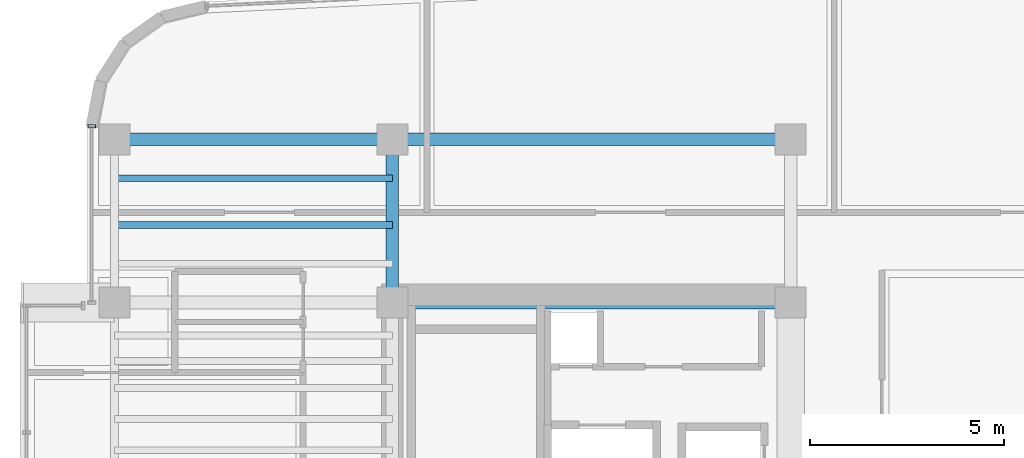
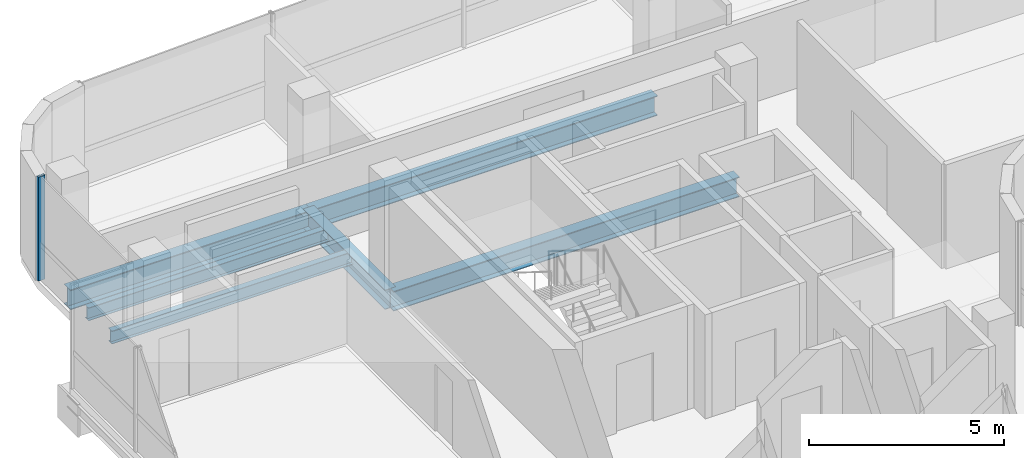
# One storey, part 7 of 18: 6 beams, 1 member, 1 element without a shape of its own.
"""IFC4 building model written with IfcOpenShell, lengths in metres."""

from ifc_helpers import new_model, si_unit, direction, frame, origin, origin_2d, place, context, subcontext, project, spatial, hollow_rectangle, i_section, extrude, source, transform, mapped, material, material_profile, profile_set, type_object, element, aggregate, save


model = new_model("IFC4")

# Units and contexts
model_context = context("Model", 3, precision=1e-05, world=origin(), true_north=direction((0.0, 1.0)))
body_context = subcontext(model_context, "Body", "Model", "MODEL_VIEW")
ifc_project = project(units=[si_unit("LENGTHUNIT", "METRE"), si_unit("AREAUNIT", "SQUARE_METRE"), si_unit("VOLUMEUNIT", "CUBIC_METRE"), si_unit("PLANEANGLEUNIT", "RADIAN"), si_unit("MASSUNIT", "GRAM", prefix="KILO")], contexts=[model_context])

# Site, building, storey
site_placement = place(None, origin())
site = spatial("IfcSite", under=ifc_project, at=site_placement, CompositionType="ELEMENT")
building_placement = place(site_placement, origin())
building = spatial("IfcBuilding", under=site, at=building_placement, Name="Valdorenza Pilgrim Sanctuary Tower", CompositionType="ELEMENT")
storey_placement = place(building_placement, frame((0.0, 0.0, 276.5)))
storey = spatial("IfcBuildingStorey", under=building, at=storey_placement, Name="L72", CompositionType="ELEMENT", Elevation=276.5)

# Beams
ifc_material_1 = material(Name="Steel ASTM A992 Grade 50", Category="steel")
ifc_material_profile_1 = material_profile(ifc_material_1, i_section(OverallWidth=0.323974609375, OverallDepth=0.611083984375, WebThickness=0.0126953125, FlangeThickness=0.01904296875, at=origin_2d()), Name="W24X104")
ifc_profile_set_1 = profile_set([ifc_material_profile_1], Name="Steel ASTM A992 Grade 50")
beam_type_1 = type_object("IfcBeamType", Name="STR-BM-GRD-W24B", PredefinedType="BEAM", material=ifc_profile_set_1)
shared_shape_1 = source(origin(), body_context, "Body", "SweptSolid", [
    extrude(i_section(OverallWidth=0.323974609375, OverallDepth=0.611083984375, WebThickness=0.0126953125, FlangeThickness=0.01904296875, at=origin_2d()), origin(), (0.0, 0.0, 1.0), 4.199951171875),
])
beam_1_placement = place(storey_placement, frame((-22.64990234375, 10.60009765625, -0.54541015625), z_axis=(0.0, 1.0, 0.0), x_axis=(-1.0, 0.0, 0.0)))
element("IfcBeam", 1, at=beam_1_placement, inside=storey, type_object=beam_type_1, Name="L72 Core Tie Girder CA-W-N1N2", PredefinedType="BEAM", context=body_context, shape_type="MappedRepresentation", body=[
    mapped(shared_shape_1, transform((0.0, 0.0, 0.0), x_axis=(1.0, 0.0, 0.0), y_axis=(0.0, 1.0, 0.0), z_axis=(0.0, 0.0, 1.0), scale=1.0)),
])
ifc_material_profile_2 = material_profile(ifc_material_1, i_section(OverallWidth=0.177978515625, OverallDepth=0.406005859375, WebThickness=0.0078125, FlangeThickness=0.0126953125, at=origin_2d()), Name="W16X40")
ifc_profile_set_2 = profile_set([ifc_material_profile_2], Name="Steel ASTM A992 Grade 50")
beam_type_2 = type_object("IfcBeamType", Name="STR-BM-JST-W16", PredefinedType="JOIST", material=ifc_profile_set_2)
shared_shape_2 = source(origin(), body_context, "Body", "SweptSolid", [
    extrude(i_section(OverallWidth=0.177978515625, OverallDepth=0.406005859375, WebThickness=0.0078125, FlangeThickness=0.0126953125, at=origin_2d()), origin(), (0.0, 0.0, 1.0), 7.150146484375),
])
for number, where, z_axis, x_axis, name in (
    (2, (-29.800048828125, 12.60009765625, -0.443115234375), (1.0, 0.0, 0.0), (0.0, 1.0, 0.0), "L72 Composite Floor Joist JST-WA-25"),
    (3, (-29.800048828125, 13.800048828125, -0.443115234375), (1.0, 0.0, 0.0), (0.0, 1.0, 0.0), "L72 Composite Floor Joist JST-WA-26"),
):
    element("IfcBeam", number, at=place(storey_placement, frame(where, z_axis=z_axis, x_axis=x_axis)), inside=storey, type_object=beam_type_2, Name=name, PredefinedType="JOIST", context=body_context, shape_type="MappedRepresentation", body=[
        mapped(shared_shape_2, transform((0.0, 0.0, 0.0), x_axis=(1.0, 0.0, 0.0), y_axis=(0.0, 1.0, 0.0), z_axis=(0.0, 0.0, 1.0), scale=1.0)),
    ])
ifc_material_profile_3 = material_profile(ifc_material_1, i_section(OverallWidth=0.326904296875, OverallDepth=0.6220703125, WebThickness=0.015380859375, FlangeThickness=0.0244140625, at=origin_2d()), Name="W24X131")
ifc_profile_set_3 = profile_set([ifc_material_profile_3], Name="Steel ASTM A992 Grade 50")
beam_type_3 = type_object("IfcBeamType", Name="STR-BM-GRD-W24A", PredefinedType="BEAM", material=ifc_profile_set_3)
shared_shape_3 = source(origin(), body_context, "Body", "SweptSolid", [
    extrude(i_section(OverallWidth=0.326904296875, OverallDepth=0.6220703125, WebThickness=0.015380859375, FlangeThickness=0.0244140625, at=origin_2d()), origin(), (0.0, 0.0, 1.0), 7.150146484375),
])
beam_2_placement = place(storey_placement, frame((-29.800048828125, 14.800048828125, -0.551025390625), z_axis=(1.0, 0.0, 0.0), x_axis=(0.0, 1.0, 0.0)))
element("IfcBeam", 4, at=beam_2_placement, inside=storey, type_object=beam_type_3, Name="L72 Floor Girder WA-XW-N2", PredefinedType="BEAM", context=body_context, shape_type="MappedRepresentation", body=[
    mapped(shared_shape_3, transform((0.0, 0.0, 0.0), x_axis=(1.0, 0.0, 0.0), y_axis=(0.0, 1.0, 0.0), z_axis=(0.0, 0.0, 1.0), scale=1.0)),
])
shared_shape_4 = source(origin(), body_context, "Body", "SweptSolid", [
    extrude(i_section(OverallWidth=0.326904296875, OverallDepth=0.6220703125, WebThickness=0.015380859375, FlangeThickness=0.0244140625, at=origin_2d()), origin(), (0.0, 0.0, 1.0), 10.25),
])
for number, where, z_axis, x_axis, name in (
    (5, (-22.64990234375, 10.60009765625, -0.551025390625), (1.0, 0.0, 0.0), (0.0, 1.0, 0.0), "L72 Floor Girder CA-XC-N1"),
    (6, (-22.64990234375, 14.800048828125, -0.551025390625), (1.0, 0.0, 0.0), (0.0, 1.0, 0.0), "L72 Floor Girder CA-XC-N2"),
):
    element("IfcBeam", number, at=place(storey_placement, frame(where, z_axis=z_axis, x_axis=x_axis)), inside=storey, type_object=beam_type_3, Name=name, PredefinedType="BEAM", context=body_context, shape_type="MappedRepresentation", body=[
        mapped(shared_shape_4, transform((0.0, 0.0, 0.0), x_axis=(1.0, 0.0, 0.0), y_axis=(0.0, 1.0, 0.0), z_axis=(0.0, 0.0, 1.0), scale=1.0)),
    ])

# Curtain wall, member
ifc_material_2 = material(Name="Curtain-wall IGU glazing", Category="glass")
curtain_wall_type = type_object("IfcCurtainWallType", Name="CW-SYS-02", PredefinedType="NOTDEFINED", material=ifc_material_2)
curtain_wall_placement = place(storey_placement, origin())
curtain_wall = element("IfcCurtainWall", 7, at=curtain_wall_placement, inside=storey, type_object=curtain_wall_type, Name="L72 Curtain Wall CW-L72-1-1S2", PredefinedType="NOTDEFINED")
ifc_material_3 = material(Name="Anodised aluminium AW-6060", Category="aluminium")
ifc_material_profile_4 = material_profile(ifc_material_3, hollow_rectangle(XDim=0.0849609375, YDim=0.199951171875, WallThickness=0.0048828125, at=origin_2d()), Name="ALU-M 200x85x5")
ifc_profile_set_4 = profile_set([ifc_material_profile_4], Name="Anodised aluminium AW-6060")
member_type = type_object("IfcMemberType", Name="CW-MUL-02", PredefinedType="MULLION", material=ifc_profile_set_4)
shared_shape_5 = source(origin(), body_context, "Body", "SweptSolid", [
    extrude(hollow_rectangle(XDim=0.0849609375, YDim=0.199951171875, WallThickness=0.0048828125, at=origin_2d()), origin(), (0.0, 0.0, 1.0), 3.260009765625),
])
member_placement = place(storey_placement, frame((-30.389892578125, 15.13671875, 0.0), z_axis=(0.0, 0.0, 1.0), x_axis=(0.0, 1.0, 0.0)))
member = element("IfcMember", 8, at=member_placement, type_object=member_type, Name="CW-L72-1-1S2 Mullion 2", PredefinedType="MULLION", context=body_context, shape_type="MappedRepresentation", body=[
    mapped(shared_shape_5, transform((0.0, 0.0, 0.0), x_axis=(1.0, 0.0, 0.0), y_axis=(0.0, 1.0, 0.0), z_axis=(0.0, 0.0, 1.0), scale=1.0)),
])
aggregate(curtain_wall, [member])

save(model, "model.ifc")
